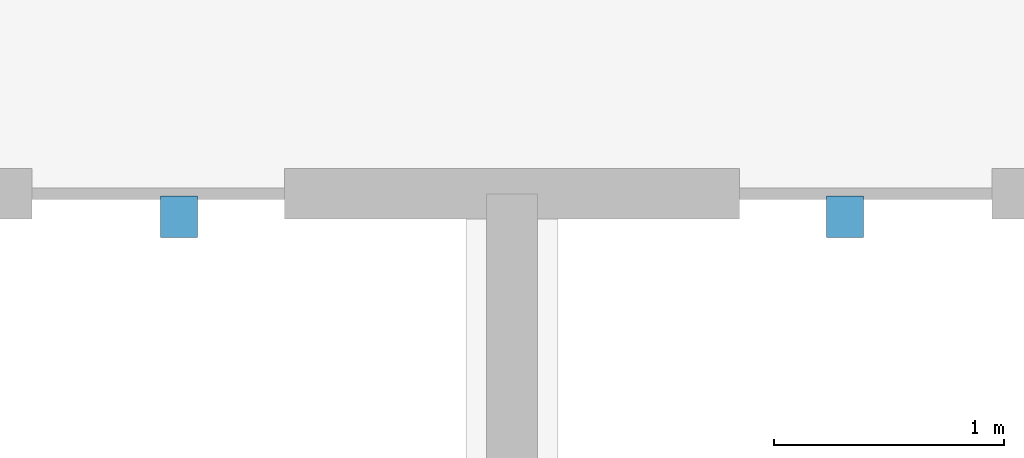
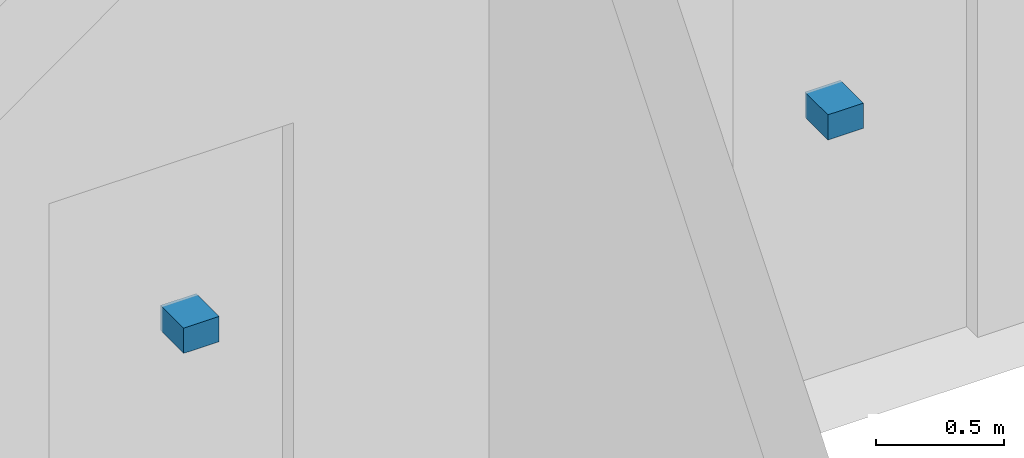
# One storey, part 3 of 5: 2 discrete accessories.
"""IFC4 building model written with IfcOpenShell, lengths in metres."""

from ifc_helpers import new_model, si_unit, direction, frame, origin, origin_2d, place, context, subcontext, project, spatial, rectangle, extrude, material, type_object, element, save


model = new_model("IFC4")

# Units and contexts
model_context = context("Model", 3, precision=1e-05, world=origin(), true_north=direction((0.0, 1.0)))
body_context = subcontext(model_context, "Body", "Model", "MODEL_VIEW")
ifc_project = project(units=[si_unit("LENGTHUNIT", "METRE"), si_unit("AREAUNIT", "SQUARE_METRE"), si_unit("VOLUMEUNIT", "CUBIC_METRE"), si_unit("PLANEANGLEUNIT", "RADIAN"), si_unit("MASSUNIT", "GRAM", prefix="KILO")], contexts=[model_context])

# Site, building, storey
site_placement = place(None, origin())
site = spatial("IfcSite", under=ifc_project, at=site_placement, CompositionType="ELEMENT")
building_placement = place(site_placement, origin())
building = spatial("IfcBuilding", under=site, at=building_placement, Name="Kazevale Care Tower and Concert Hall", CompositionType="ELEMENT")
storey_placement = place(building_placement, frame((0.0, 0.0, 304.800048828125)))
storey = spatial("IfcBuildingStorey", under=building, at=storey_placement, Name="L80", CompositionType="ELEMENT", Elevation=304.800048828125)

# Discrete accessories
ifc_material = material(Name="Stainless Steel 316", Category="steel")
discrete_accessory_type = type_object("IfcDiscreteAccessoryType", Name="Hoistway Guide-Rail Wall Bracket HBRK-1", PredefinedType="BRACKET", material=ifc_material)
for number, where, z_axis, x_axis, name in (
    (1, (31.550048828125, 26.52001953125, 1.239990234375), (0.0, 0.0, 1.0), (1.0, 0.0, 0.0), "hbrk:FFL-1:L80"),
    (2, (34.449951171875, 26.52001953125, 1.239990234375), (0.0, 0.0, 1.0), (1.0, 0.0, 0.0), "hbrk:FFL-2:L80"),
):
    element("IfcDiscreteAccessory", number, at=place(storey_placement, frame(where, z_axis=z_axis, x_axis=x_axis)), inside=storey, type_object=discrete_accessory_type, Name=name, PredefinedType="BRACKET", context=body_context, shape_type="SweptSolid", body=[
        extrude(rectangle(XDim=0.159912109375, YDim=0.179931640625, at=origin_2d()), origin(), (0.0, 0.0, 1.0), 0.1201171875),
    ])

save(model, "model.ifc")
